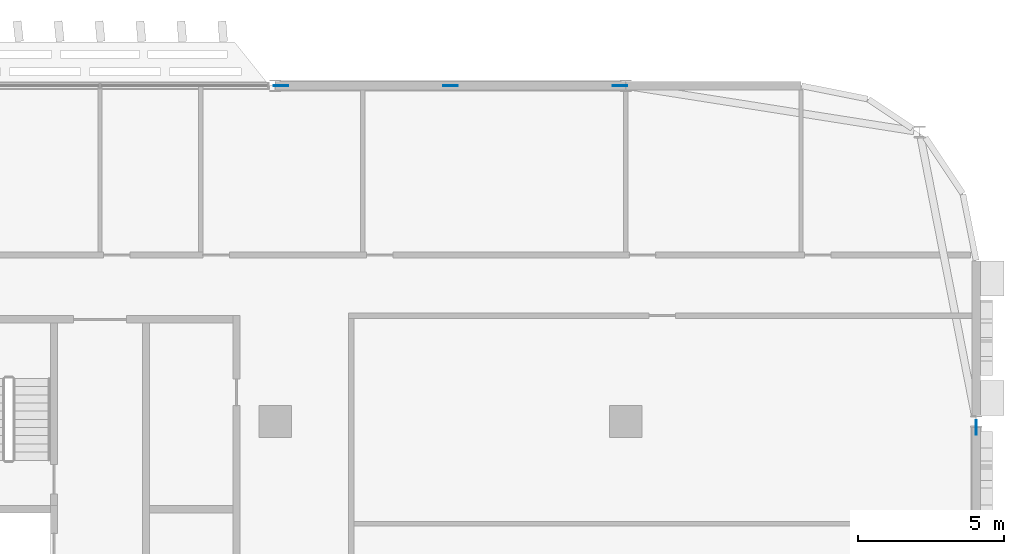
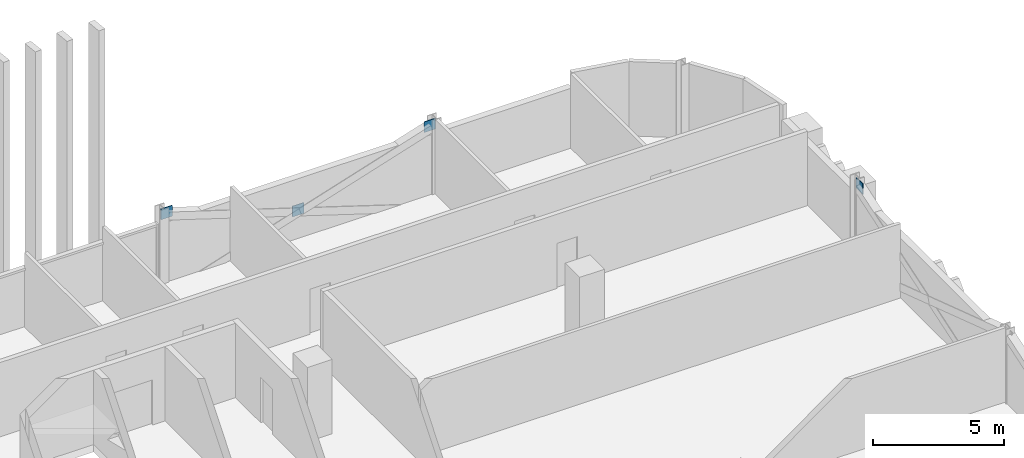
# One storey, part 24 of 30: 4 discrete accessories.
"""IFC4 building model written with IfcOpenShell, lengths in metres."""

from ifc_helpers import new_model, si_unit, direction, frame, origin, origin_2d, place, context, subcontext, project, spatial, rectangle, extrude, material, layer, layer_set, type_object, element, save


model = new_model("IFC4")

# Units and contexts
model_context = context("Model", 3, precision=1e-05, world=origin(), true_north=direction((0.0, 1.0)))
body_context = subcontext(model_context, "Body", "Model", "MODEL_VIEW")
ifc_project = project(units=[si_unit("LENGTHUNIT", "METRE"), si_unit("AREAUNIT", "SQUARE_METRE"), si_unit("VOLUMEUNIT", "CUBIC_METRE"), si_unit("PLANEANGLEUNIT", "RADIAN"), si_unit("MASSUNIT", "GRAM", prefix="KILO")], contexts=[model_context])

# Site, building, storey
site_placement = place(None, origin())
site = spatial("IfcSite", under=ifc_project, at=site_placement, CompositionType="ELEMENT")
building_placement = place(site_placement, origin())
building = spatial("IfcBuilding", under=site, at=building_placement, Name="Mahtab Terrace Research Tower", CompositionType="ELEMENT")
storey_placement = place(building_placement, frame((0.0, 0.0, 209.10009765625)))
storey = spatial("IfcBuildingStorey", under=building, at=storey_placement, Name="L50", CompositionType="ELEMENT", Elevation=209.10009765625)

# Discrete accessories
ifc_material = material(Name="Steel ASTM A992 Gr 50", Category="steel")
ifc_layer = layer(ifc_material, 0.030029296875)
ifc_layer_set = layer_set([ifc_layer], Name="Gusset plate 500x500x30")
discrete_accessory_type = type_object("IfcDiscreteAccessoryType", Name="Gusset plate 500x500x30", PredefinedType="USERDEFINED", material=ifc_layer_set)
for number, where, z_axis, x_axis, name in (
    (1, (30.20068359375, 23.0, 2.870849609375), (0.0, 0.0, 1.0), (1.0, 0.0, 0.0), "Gusset plate"),
    (2, (36.0, 23.0, 0.970703125), (0.0, 0.0, 1.0), (1.0, 0.0, 0.0), "Gusset plate"),
    (3, (41.79931640625, 23.0, 2.870849609375), (0.0, 0.0, 1.0), (1.0, 0.0, 0.0), "Gusset plate"),
    (4, (54.0, 11.300537109375, 2.870849609375), (0.0, 0.0, 1.0), (0.0, 1.0, 0.0), "Gusset plate"),
):
    element("IfcDiscreteAccessory", number, at=place(storey_placement, frame(where, z_axis=z_axis, x_axis=x_axis)), inside=storey, type_object=discrete_accessory_type, Name=name, ObjectType="GUSSET PLATE", PredefinedType="USERDEFINED", context=body_context, shape_type="SweptSolid", body=[
        extrude(rectangle(XDim=0.5, YDim=0.030029296875, at=origin_2d()), origin(), (0.0, 0.0, 1.0), 0.5),
    ])

save(model, "model.ifc")
